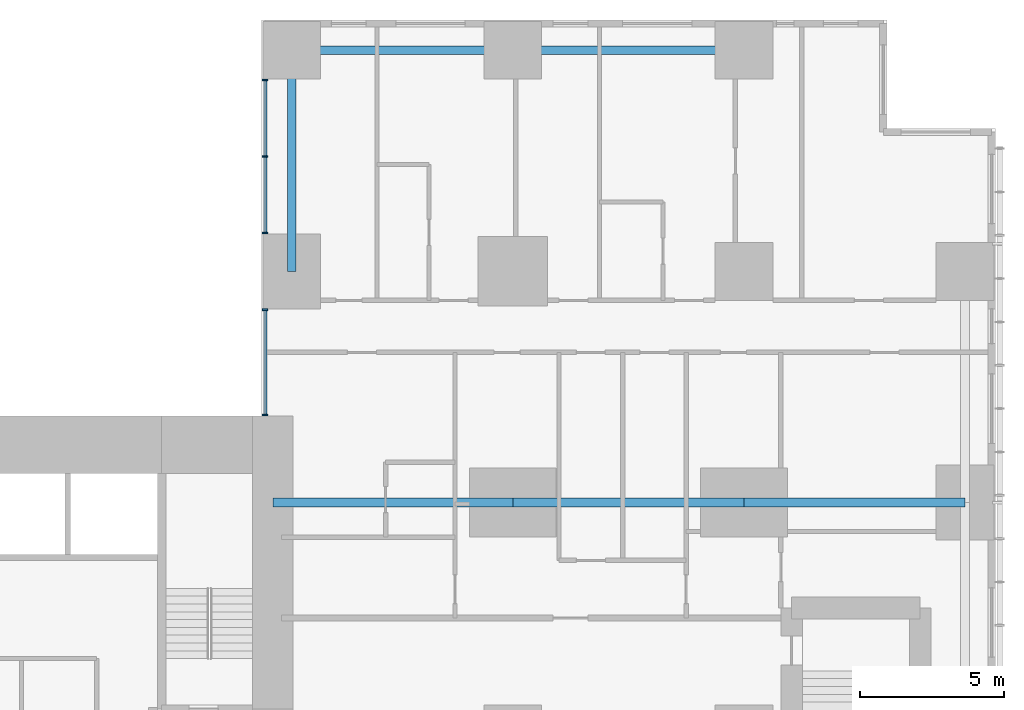
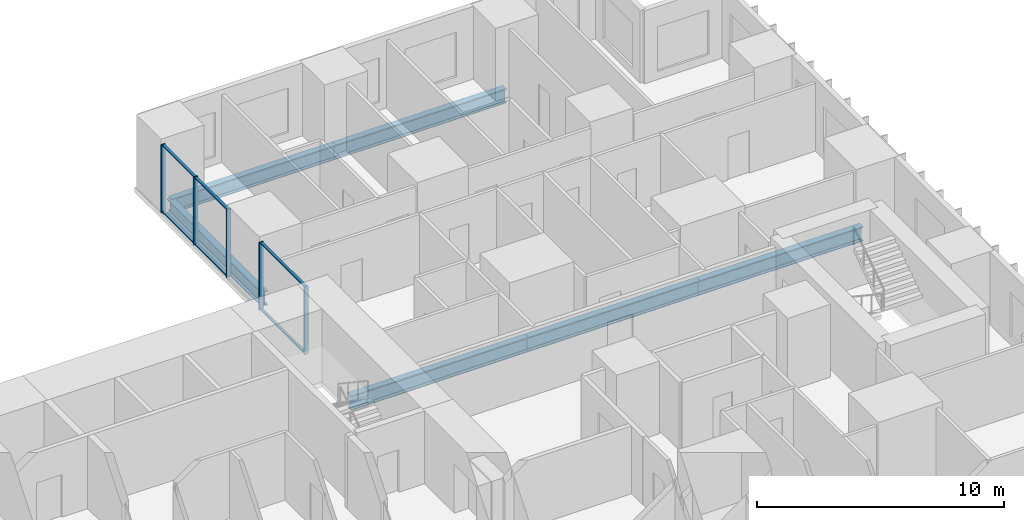
# One storey, part 5 of 20: 11 members, 6 beams, 2 elements without a shape of their own.
"""IFC4 building model written with IfcOpenShell, lengths in metres."""

import ifcopenshell
import ifcopenshell.guid

model = None  # the IFC model being written
_history = None  # IfcOwnerHistory: only IFC2X3 demands one
_inside = {}  # id of a spatial element -> (the spatial element, [elements in it])
_under = {}  # id of a project, library or spatial element -> (it, [spatial elements below it])
_declared = {}  # id of a project -> (the project, [libraries it declares])
_typed = {}  # id of a type object -> (the type object, [elements of that type])
_made_of = {}  # id of a material, layer set ... -> (it, [elements and type objects made of it])


def new_model(schema):
    """Start an empty IFC model of exactly this schema.

    Asked for "IFC4X3", IfcOpenShell would pick the latest addendum, in which some entities
    have other attributes; the version numbers below select the first issue.
    IFC2X3 requires an IfcOwnerHistory on every rooted entity: one is made here for all.
    """
    global model, _history
    if schema == "IFC4X3":
        model = ifcopenshell.file(schema_version=(4, 3, 0, 0))
    else:
        model = ifcopenshell.file(schema=schema)
    _inside.clear()
    _under.clear()
    _declared.clear()
    _typed.clear()
    _made_of.clear()
    _history = None
    if model.schema == "IFC2X3":
        org = make("IfcOrganization", Name="unknown")
        user = make(
            "IfcPersonAndOrganization",
            ThePerson=make("IfcPerson", FamilyName="unknown"),
            TheOrganization=org,
        )
        app = make(
            "IfcApplication",
            ApplicationDeveloper=org,
            Version="unknown",
            ApplicationFullName="unknown",
            ApplicationIdentifier="unknown",
        )
        _history = make(
            "IfcOwnerHistory",
            OwningUser=user,
            OwningApplication=app,
            ChangeAction="ADDED",
            CreationDate=0,
        )
    return model


def make(cls, **values):
    """One entity of the class cls with the attributes given. An attribute that is None is left unset."""
    return model.create_entity(
        cls, **{name: value for name, value in values.items() if value is not None}
    )


def rooted(cls, **values):
    """An entity with a GlobalId (a new one), such as an element, a storey or a relation."""
    return make(cls, GlobalId=ifcopenshell.guid.new(), OwnerHistory=_history, **values)


def si_unit(unit_type, name, prefix=None):
    """IfcSIUnit, for example si_unit("LENGTHUNIT", "METRE", prefix="MILLI")."""
    return make("IfcSIUnit", UnitType=unit_type, Prefix=prefix, Name=name)


def assignment(units):
    """IfcUnitAssignment: the units of a project."""
    return None if units is None else make("IfcUnitAssignment", Units=units)


def point(xyz):
    """IfcCartesianPoint."""
    return None if xyz is None else make("IfcCartesianPoint", Coordinates=xyz)


def direction(xyz):
    """IfcDirection."""
    return None if xyz is None else make("IfcDirection", DirectionRatios=xyz)


def frame(location, z_axis=None, x_axis=None):
    """IfcAxis2Placement3D, a coordinate frame: its origin and axes. An axis left out is left unset."""
    return make(
        "IfcAxis2Placement3D",
        Location=point(location),
        Axis=direction(z_axis),
        RefDirection=direction(x_axis),
    )


def frame_2d(location, x_axis=None):
    """IfcAxis2Placement2D, a coordinate frame in the plane: its origin and x axis."""
    return make(
        "IfcAxis2Placement2D", Location=point(location), RefDirection=direction(x_axis)
    )


def origin():
    """The frame at (0, 0, 0) with its axes left unset."""
    return frame((0.0, 0.0, 0.0))


def origin_2d():
    """The frame at (0, 0) in the plane with its x axis left unset."""
    return frame_2d((0.0, 0.0))


def place(relative_to, where):
    """IfcLocalPlacement: puts the frame where relative to a parent placement (None: the world)."""
    return make(
        "IfcLocalPlacement", PlacementRelTo=relative_to, RelativePlacement=where
    )


def context(
    kind, dimensions, precision=None, world=None, true_north=None, identifier=None
):
    """IfcGeometricRepresentationContext, for example the 3D "Model" context."""
    return make(
        "IfcGeometricRepresentationContext",
        ContextIdentifier=identifier,
        ContextType=kind,
        CoordinateSpaceDimension=dimensions,
        Precision=precision,
        WorldCoordinateSystem=world,
        TrueNorth=true_north,
    )


def subcontext(parent, identifier, kind, view, scale=None):
    """IfcGeometricRepresentationSubContext, for example "Body" below "Model"."""
    return make(
        "IfcGeometricRepresentationSubContext",
        ContextIdentifier=identifier,
        ContextType=kind,
        ParentContext=parent,
        TargetScale=scale,
        TargetView=view,
    )


def project(units=None, contexts=None):
    """IfcProject with its units and contexts."""
    return rooted(
        "IfcProject",
        Name="project",
        RepresentationContexts=contexts,
        UnitsInContext=assignment(units),
    )


def spatial(cls, under=None, at=None, **own):
    """A site, building, storey or space (cls), placed at a placement, below another one or the project."""
    s = rooted(cls, ObjectPlacement=at, **own)
    if under is not None:
        _under.setdefault(under.id(), (under, []))[1].append(s)
    return s


def profile(cls, at=None, kind="AREA", **sizes):
    """A parametric profile (cls). Its sizes go by their IFC names, for example OverallWidth=200.0."""
    return make(cls, ProfileType=kind, Position=at, **sizes)


def rectangle(**sizes):
    """IfcRectangleProfileDef."""
    return profile("IfcRectangleProfileDef", **sizes)


def i_section(**sizes):
    """IfcIShapeProfileDef."""
    return profile("IfcIShapeProfileDef", **sizes)


def extrude(swept, where, along, depth):
    """IfcExtrudedAreaSolid: the profile swept, set in the frame where, extruded along a direction by depth."""
    return make(
        "IfcExtrudedAreaSolid",
        SweptArea=swept,
        Position=where,
        ExtrudedDirection=direction(along),
        Depth=depth,
    )


def shape(context_of_items, identifier, shape_type, items):
    """IfcShapeRepresentation: the items that make up one representation, for example the "Body"."""
    return make(
        "IfcShapeRepresentation",
        ContextOfItems=context_of_items,
        RepresentationIdentifier=identifier,
        RepresentationType=shape_type,
        Items=items,
    )


def material(Name=None, Category=None):
    """IfcMaterial."""
    return make("IfcMaterial", Name=Name, Category=Category)


def layer(
    of_material, thickness, ventilated=None, Name=None, Category=None, Priority=None
):
    """IfcMaterialLayer: one layer of a wall or slab, of a material (None: an air gap)."""
    return make(
        "IfcMaterialLayer",
        Material=of_material,
        LayerThickness=thickness,
        IsVentilated=ventilated,
        Name=Name,
        Category=Category,
        Priority=Priority,
    )


def layer_set(layers, Name=None):
    """IfcMaterialLayerSet."""
    return make("IfcMaterialLayerSet", MaterialLayers=layers, LayerSetName=Name)


def material_profile(
    of_material, cross_section, Name=None, Category=None, Priority=None
):
    """IfcMaterialProfile: a cross section and its material."""
    return make(
        "IfcMaterialProfile",
        Name=Name,
        Material=of_material,
        Profile=cross_section,
        Priority=Priority,
        Category=Category,
    )


def profile_set(profiles, Name=None, composite=None):
    """IfcMaterialProfileSet."""
    return make(
        "IfcMaterialProfileSet",
        Name=Name,
        MaterialProfiles=profiles,
        CompositeProfile=composite,
    )


def made_of(thing, what):
    """Note that an element or type object is made of a material, layer set ...; save() writes the relation."""
    if what is not None:
        _made_of.setdefault(what.id(), (what, []))[1].append(thing)
    return thing


def type_object(cls, material=None, **own):
    """A type object (cls), such as IfcWallType, which elements share."""
    return made_of(rooted(cls, **own), material)


def element(
    cls,
    number,
    at=None,
    inside=None,
    cuts=None,
    type_object=None,
    material=None,
    context=None,
    identifier="Body",
    shape_type=None,
    held_by="IfcProductDefinitionShape",
    body=None,
    shapes=None,
    **own,
):
    """One element of the class cls, such as IfcWall. Its Tag is "e" and its number.

    at: its placement. inside: the storey or other place that contains it. cuts: it is an
    opening in that element (IfcRelVoidsElement). A single representation is given by context,
    identifier, shape_type and body (its items); several are given by shapes. held_by: the class
    of the entity that holds the representations. save() writes the other relations.
    """
    e = rooted(cls, Tag="e%d" % number, ObjectPlacement=at, **own)
    if body is not None:
        shapes = [shape(context, identifier, shape_type, body)]
    if shapes is not None:
        e.Representation = make(held_by, Representations=shapes)
    if inside is not None:
        _inside.setdefault(inside.id(), (inside, []))[1].append(e)
    if cuts is not None:
        rooted(
            "IfcRelVoidsElement", RelatingBuildingElement=cuts, RelatedOpeningElement=e
        )
    if type_object is not None:
        _typed.setdefault(type_object.id(), (type_object, []))[1].append(e)
    return made_of(e, material)


def aggregate(whole, parts):
    """IfcRelAggregates: a whole, such as a stair, and the parts it consists of."""
    return rooted("IfcRelAggregates", RelatingObject=whole, RelatedObjects=parts)


def save(model, path):
    """Write the relations noted so far, then the file.

    IfcRelAggregates (storeys below a building ...), IfcRelContainedInSpatialStructure (elements
    in a storey), IfcRelDefinesByType, IfcRelAssociatesMaterial and IfcRelDeclares: one each for
    every whole, place, type object, material and project.
    """
    for whole, parts in _under.values():
        aggregate(whole, parts)
    for where, things in _inside.values():
        rooted(
            "IfcRelContainedInSpatialStructure",
            RelatedElements=things,
            RelatingStructure=where,
        )
    for kind, things in _typed.values():
        rooted("IfcRelDefinesByType", RelatedObjects=things, RelatingType=kind)
    for what, things in _made_of.values():
        rooted("IfcRelAssociatesMaterial", RelatedObjects=things, RelatingMaterial=what)
    for by, libraries in _declared.values():
        rooted("IfcRelDeclares", RelatingContext=by, RelatedDefinitions=libraries)
    model.write(path)


model = new_model("IFC4")

# Units and contexts
model_context = context("Model", 3, precision=1e-05, world=origin(), true_north=direction((0.0, 1.0)))
body_context = subcontext(model_context, "Body", "Model", "MODEL_VIEW")
ifc_project = project(units=[si_unit("LENGTHUNIT", "METRE"), si_unit("AREAUNIT", "SQUARE_METRE"), si_unit("VOLUMEUNIT", "CUBIC_METRE"), si_unit("PLANEANGLEUNIT", "RADIAN"), si_unit("MASSUNIT", "GRAM", prefix="KILO")], contexts=[model_context])

# Site, building, storey
site_placement = place(None, origin())
site = spatial("IfcSite", under=ifc_project, at=site_placement, CompositionType="ELEMENT")
building_placement = place(site_placement, origin())
building = spatial("IfcBuilding", under=site, at=building_placement, Name="Cleftline Residences", CompositionType="ELEMENT")
storey_placement = place(building_placement, frame((0.0, 0.0, 143.0)))
storey = spatial("IfcBuildingStorey", under=building, at=storey_placement, Name="L37", CompositionType="ELEMENT", Elevation=143.0)

# Beams
ifc_material_1 = material(Name="Steel S355", Category="steel")
ifc_material_profile_1 = material_profile(ifc_material_1, i_section(OverallWidth=0.300048828125, OverallDepth=0.699951171875, WebThickness=0.01708984375, FlangeThickness=0.031982421875, FilletRadius=0.027099609375, at=origin_2d()))
ifc_profile_set_1 = profile_set([ifc_material_profile_1], Name="Steel S355")
beam_type_1 = type_object("IfcBeamType", Name="BEAM HEB 700", PredefinedType="BEAM", material=ifc_profile_set_1)
beam_1_placement = place(storey_placement, frame((58.0, 47.64990234375, -0.60009765625), z_axis=(-1.0, 0.0, 0.0), x_axis=(0.0, -1.0, 0.0)))
element("IfcBeam", 1, at=beam_1_placement, inside=storey, type_object=beam_type_1, Name="Edge beam", PredefinedType="BEAM", context=body_context, shape_type="SweptSolid", body=[
    extrude(i_section(OverallWidth=0.300048828125, OverallDepth=0.699951171875, WebThickness=0.01708984375, FlangeThickness=0.031982421875, FilletRadius=0.027099609375, at=origin_2d()), origin(), (0.0, 0.0, 1.0), 8.0),
])
for number, where, z_axis, x_axis, name in (
    (2, (50.0, 47.64990234375, -0.60009765625), (-1.0, 0.0, 0.0), (0.0, -1.0, 0.0), "Edge beam"),
    (3, (42.35009765625, 47.64990234375, -0.60009765625), (0.0, -1.0, 0.0), (1.0, 0.0, 0.0), "Edge beam"),
):
    element("IfcBeam", number, at=place(storey_placement, frame(where, z_axis=z_axis, x_axis=x_axis)), inside=storey, type_object=beam_type_1, Name=name, PredefinedType="BEAM", context=body_context, shape_type="SweptSolid", body=[
        extrude(i_section(OverallWidth=0.300048828125, OverallDepth=0.699951171875, WebThickness=0.01708984375, FlangeThickness=0.031982421875, FilletRadius=0.027099609375, at=origin_2d()), origin(), (0.0, 0.0, 1.0), 7.64990234375),
    ])
ifc_material_2 = material(Name="Steel S355", Category="steel")
ifc_material_profile_2 = material_profile(ifc_material_2, i_section(OverallWidth=0.303955078125, OverallDepth=0.716064453125, WebThickness=0.02099609375, FlangeThickness=0.0400390625, FilletRadius=0.027099609375, at=origin_2d()))
ifc_profile_set_2 = profile_set([ifc_material_profile_2], Name="Steel S355")
beam_type_2 = type_object("IfcBeamType", Name="BEAM HEM 700", PredefinedType="BEAM", material=ifc_profile_set_2)
beam_2_placement = place(storey_placement, frame((65.64990234375, 32.0, -0.60791015625), z_axis=(-1.0, 0.0, 0.0), x_axis=(0.0, -1.0, 0.0)))
element("IfcBeam", 4, at=beam_2_placement, inside=storey, type_object=beam_type_2, Name="Band beam", PredefinedType="BEAM", context=body_context, shape_type="SweptSolid", body=[
    extrude(i_section(OverallWidth=0.303955078125, OverallDepth=0.716064453125, WebThickness=0.02099609375, FlangeThickness=0.0400390625, FilletRadius=0.027099609375, at=origin_2d()), origin(), (0.0, 0.0, 1.0), 7.64990234375),
])
beam_3_placement = place(storey_placement, frame((58.0, 32.0, -0.60791015625), z_axis=(-1.0, 0.0, 0.0), x_axis=(0.0, -1.0, 0.0)))
element("IfcBeam", 5, at=beam_3_placement, inside=storey, type_object=beam_type_2, Name="Band beam", PredefinedType="BEAM", context=body_context, shape_type="SweptSolid", body=[
    extrude(i_section(OverallWidth=0.303955078125, OverallDepth=0.716064453125, WebThickness=0.02099609375, FlangeThickness=0.0400390625, FilletRadius=0.027099609375, at=origin_2d()), origin(), (0.0, 0.0, 1.0), 8.0),
])
beam_4_placement = place(storey_placement, frame((50.0, 32.0, -0.60791015625), z_axis=(-1.0, 0.0, 0.0), x_axis=(0.0, -1.0, 0.0)))
element("IfcBeam", 6, at=beam_4_placement, inside=storey, type_object=beam_type_2, Name="Band beam", PredefinedType="BEAM", context=body_context, shape_type="SweptSolid", body=[
    extrude(i_section(OverallWidth=0.303955078125, OverallDepth=0.716064453125, WebThickness=0.02099609375, FlangeThickness=0.0400390625, FilletRadius=0.027099609375, at=origin_2d()), origin(), (0.0, 0.0, 1.0), 8.300048828125),
])

# Curtain wall, members
ifc_material_3 = material(Name="Aluminium framed curtain wall", Category="aluminium")
ifc_layer = layer(ifc_material_3, 0.199951171875)
ifc_layer_set = layer_set([ifc_layer], Name="CW1 CLEFT GLAZING")
curtain_wall_type = type_object("IfcCurtainWallType", Name="CW1 CLEFT GLAZING", PredefinedType="NOTDEFINED", material=ifc_layer_set)
curtain_wall_1_placement = place(storey_placement, origin())
curtain_wall_1 = element("IfcCurtainWall", 7, at=curtain_wall_1_placement, inside=storey, type_object=curtain_wall_type, Name="Curtain wall CW1", PredefinedType="NOTDEFINED")
ifc_material_4 = material(Name="Aluminium mullion", Category="aluminium")
ifc_material_profile_3 = material_profile(ifc_material_4, rectangle(XDim=0.199951171875, YDim=0.06005859375, at=origin_2d()))
ifc_profile_set_3 = profile_set([ifc_material_profile_3], Name="Aluminium mullion")
member_type_1 = type_object("IfcMemberType", Name="CW1 MULLION", PredefinedType="MULLION", material=ifc_profile_set_3)
member_1_placement = place(storey_placement, frame((41.425048828125, 46.6201171875, 0.0), z_axis=(0.0, 0.0, 1.0), x_axis=(1.0, 0.0, 0.0)))
member_1 = element("IfcMember", 8, at=member_1_placement, type_object=member_type_1, Name="CW1 mullion 1", PredefinedType="MULLION", context=body_context, shape_type="SweptSolid", body=[
    extrude(rectangle(XDim=0.199951171875, YDim=0.06005859375, at=origin_2d()), origin(), (0.0, 0.0, 1.0), 3.35009765625),
])
member_2_placement = place(storey_placement, frame((41.425048828125, 43.97509765625, 0.0), z_axis=(0.0, 0.0, 1.0), x_axis=(1.0, 0.0, 0.0)))
member_2 = element("IfcMember", 9, at=member_2_placement, type_object=member_type_1, Name="CW1 mullion 2", PredefinedType="MULLION", context=body_context, shape_type="SweptSolid", body=[
    extrude(rectangle(XDim=0.199951171875, YDim=0.06005859375, at=origin_2d()), origin(), (0.0, 0.0, 1.0), 3.35009765625),
])
member_3_placement = place(storey_placement, frame((41.425048828125, 41.330078125, 0.0), z_axis=(0.0, 0.0, 1.0), x_axis=(1.0, 0.0, 0.0)))
member_3 = element("IfcMember", 10, at=member_3_placement, type_object=member_type_1, Name="CW1 mullion 3", PredefinedType="MULLION", context=body_context, shape_type="SweptSolid", body=[
    extrude(rectangle(XDim=0.199951171875, YDim=0.06005859375, at=origin_2d()), origin(), (0.0, 0.0, 1.0), 3.35009765625),
])

curtain_wall_2_placement = place(storey_placement, origin())
curtain_wall_2 = element("IfcCurtainWall", 11, at=curtain_wall_2_placement, inside=storey, type_object=curtain_wall_type, Name="Curtain wall CW1", PredefinedType="NOTDEFINED")
member_4_placement = place(storey_placement, frame((41.425048828125, 38.669921875, 0.0), z_axis=(0.0, 0.0, 1.0), x_axis=(1.0, 0.0, 0.0)))
member_4 = element("IfcMember", 12, at=member_4_placement, type_object=member_type_1, Name="CW1 mullion 1", PredefinedType="MULLION", context=body_context, shape_type="SweptSolid", body=[
    extrude(rectangle(XDim=0.199951171875, YDim=0.06005859375, at=origin_2d()), origin(), (0.0, 0.0, 1.0), 3.35009765625),
])
member_5_placement = place(storey_placement, frame((41.425048828125, 35.030029296875, 0.0), z_axis=(0.0, 0.0, 1.0), x_axis=(1.0, 0.0, 0.0)))
member_5 = element("IfcMember", 13, at=member_5_placement, type_object=member_type_1, Name="CW1 mullion 2", PredefinedType="MULLION", context=body_context, shape_type="SweptSolid", body=[
    extrude(rectangle(XDim=0.199951171875, YDim=0.06005859375, at=origin_2d()), origin(), (0.0, 0.0, 1.0), 3.35009765625),
])

# Member
ifc_material_5 = material(Name="Aluminium transom", Category="aluminium")
ifc_material_profile_4 = material_profile(ifc_material_5, rectangle(XDim=0.1201171875, YDim=0.06005859375, at=origin_2d()))
ifc_profile_set_4 = profile_set([ifc_material_profile_4], Name="Aluminium transom")
member_type_2 = type_object("IfcMemberType", Name="CW1 TRANSOM", PredefinedType="USERDEFINED", material=ifc_profile_set_4)
member_6_placement = place(storey_placement, frame((41.425048828125, 46.590087890625, 0.030029296875), z_axis=(0.0, -1.0, 0.0), x_axis=(1.0, 0.0, 0.0)))
member_6 = element("IfcMember", 14, at=member_6_placement, type_object=member_type_2, Name="CW1 transom 1.1", ObjectType="TRANSOM", PredefinedType="USERDEFINED", context=body_context, shape_type="SweptSolid", body=[
    extrude(rectangle(XDim=0.1201171875, YDim=0.06005859375, at=origin_2d()), origin(), (0.0, 0.0, 1.0), 2.585205078125),
])

member_7_placement = place(storey_placement, frame((41.425048828125, 46.590087890625, 3.320068359375), z_axis=(0.0, -1.0, 0.0), x_axis=(1.0, 0.0, 0.0)))
member_7 = element("IfcMember", 15, at=member_7_placement, type_object=member_type_2, Name="CW1 transom 1.2", ObjectType="TRANSOM", PredefinedType="USERDEFINED", context=body_context, shape_type="SweptSolid", body=[
    extrude(rectangle(XDim=0.1201171875, YDim=0.06005859375, at=origin_2d()), origin(), (0.0, 0.0, 1.0), 2.585205078125),
])

member_8_placement = place(storey_placement, frame((41.425048828125, 43.945068359375, 0.030029296875), z_axis=(0.0, -1.0, 0.0), x_axis=(1.0, 0.0, 0.0)))
member_8 = element("IfcMember", 16, at=member_8_placement, type_object=member_type_2, Name="CW1 transom 2.1", ObjectType="TRANSOM", PredefinedType="USERDEFINED", context=body_context, shape_type="SweptSolid", body=[
    extrude(rectangle(XDim=0.1201171875, YDim=0.06005859375, at=origin_2d()), origin(), (0.0, 0.0, 1.0), 2.5849609375),
])

member_9_placement = place(storey_placement, frame((41.425048828125, 43.945068359375, 3.320068359375), z_axis=(0.0, -1.0, 0.0), x_axis=(1.0, 0.0, 0.0)))
member_9 = element("IfcMember", 17, at=member_9_placement, type_object=member_type_2, Name="CW1 transom 2.2", ObjectType="TRANSOM", PredefinedType="USERDEFINED", context=body_context, shape_type="SweptSolid", body=[
    extrude(rectangle(XDim=0.1201171875, YDim=0.06005859375, at=origin_2d()), origin(), (0.0, 0.0, 1.0), 2.5849609375),
])

aggregate(curtain_wall_1, [member_1, member_2, member_3, member_6, member_7, member_8, member_9])

member_10_placement = place(storey_placement, frame((41.425048828125, 38.639892578125, 0.030029296875), z_axis=(0.0, -1.0, 0.0), x_axis=(1.0, 0.0, 0.0)))
member_10 = element("IfcMember", 18, at=member_10_placement, type_object=member_type_2, Name="CW1 transom 1.1", ObjectType="TRANSOM", PredefinedType="USERDEFINED", context=body_context, shape_type="SweptSolid", body=[
    extrude(rectangle(XDim=0.1201171875, YDim=0.06005859375, at=origin_2d()), origin(), (0.0, 0.0, 1.0), 3.579833984375),
])

member_11_placement = place(storey_placement, frame((41.425048828125, 38.639892578125, 3.320068359375), z_axis=(0.0, -1.0, 0.0), x_axis=(1.0, 0.0, 0.0)))
member_11 = element("IfcMember", 19, at=member_11_placement, type_object=member_type_2, Name="CW1 transom 1.2", ObjectType="TRANSOM", PredefinedType="USERDEFINED", context=body_context, shape_type="SweptSolid", body=[
    extrude(rectangle(XDim=0.1201171875, YDim=0.06005859375, at=origin_2d()), origin(), (0.0, 0.0, 1.0), 3.579833984375),
])

aggregate(curtain_wall_2, [member_4, member_5, member_10, member_11])

save(model, "model.ifc")
